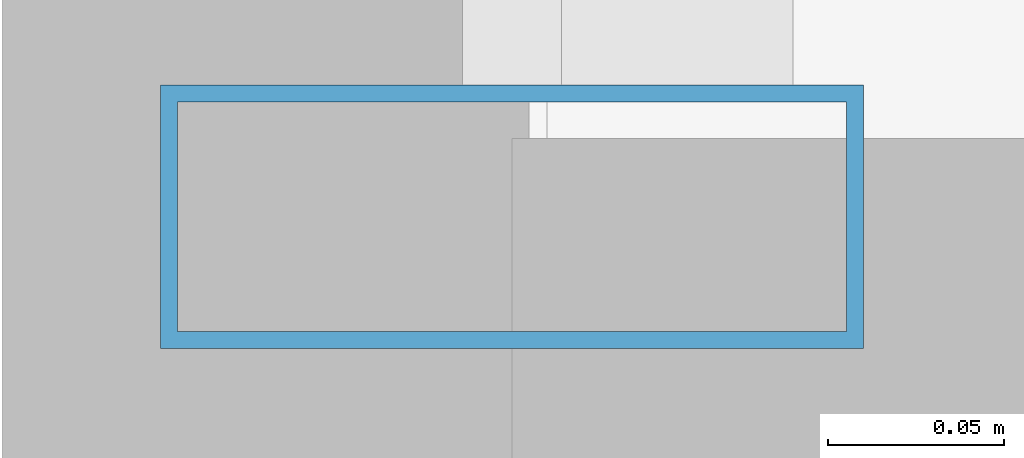
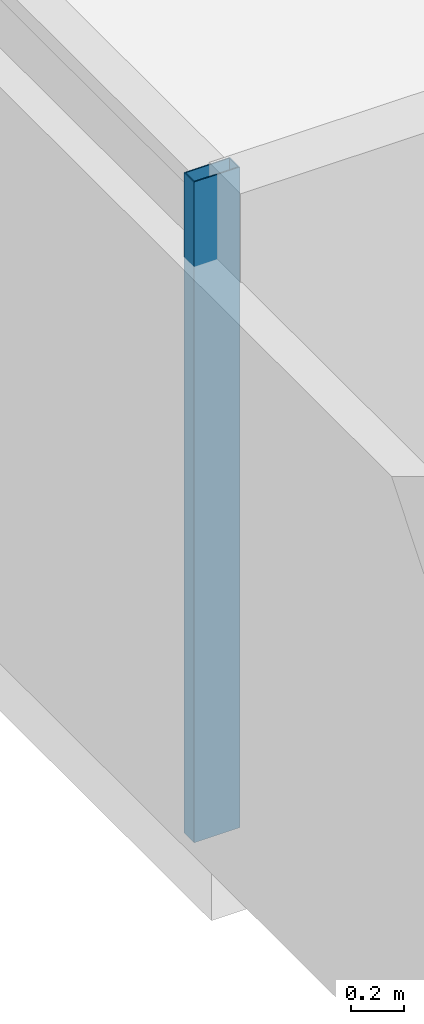
# One storey, part 2 of 30: 1 member, 1 element without a shape of its own.
"""IFC4 building model written with IfcOpenShell, lengths in metres."""

from ifc_helpers import new_model, si_unit, direction, frame, origin, origin_2d, place, context, subcontext, project, spatial, hollow_rectangle, extrude, source, transform, mapped, material, layer, layer_set, material_profile, profile_set, type_object, element, aggregate, save


model = new_model("IFC4")

# Units and contexts
model_context = context("Model", 3, precision=1e-05, world=origin(), true_north=direction((0.0, 1.0)))
body_context = subcontext(model_context, "Body", "Model", "MODEL_VIEW")
ifc_project = project(units=[si_unit("LENGTHUNIT", "METRE"), si_unit("AREAUNIT", "SQUARE_METRE"), si_unit("VOLUMEUNIT", "CUBIC_METRE"), si_unit("PLANEANGLEUNIT", "RADIAN"), si_unit("MASSUNIT", "GRAM", prefix="KILO")], contexts=[model_context])

# Site, building, storey
site_placement = place(None, origin())
site = spatial("IfcSite", under=ifc_project, at=site_placement, CompositionType="ELEMENT")
building_placement = place(site_placement, origin())
building = spatial("IfcBuilding", under=site, at=building_placement, Name="Zarnakvel Exchange Tower", CompositionType="ELEMENT")
storey_placement = place(building_placement, frame((0.0, 0.0, 43.89990234375)))
storey = spatial("IfcBuildingStorey", under=building, at=storey_placement, Name="L11", CompositionType="ELEMENT", Elevation=43.89990234375)

# Curtain wall, member
ifc_material = material(Name="Architectural Bronze Anodised Aluminium", Category="aluminium")
ifc_layer = layer(ifc_material, 0.199951171875)
ifc_layer_set = layer_set([ifc_layer], Name="Architectural Bronze Anodised Aluminium")
curtain_wall_type = type_object("IfcCurtainWallType", Name="CW-04", PredefinedType="NOTDEFINED", material=ifc_layer_set)
curtain_wall_placement = place(storey_placement, origin())
curtain_wall = element("IfcCurtainWall", 1, at=curtain_wall_placement, inside=storey, type_object=curtain_wall_type, Name="L11 Curtain Wall CW-L11-W1 (CW-04)", PredefinedType="NOTDEFINED")
ifc_material_profile = material_profile(ifc_material, hollow_rectangle(XDim=0.199951171875, YDim=0.074951171875, WallThickness=0.0048828125, at=origin_2d()))
ifc_profile_set = profile_set([ifc_material_profile], Name="Architectural Bronze Anodised Aluminium")
member_type = type_object("IfcMemberType", Name="CWM-04", PredefinedType="MULLION", material=ifc_profile_set)
shared_shape = source(origin(), body_context, "Body", "SweptSolid", [
    extrude(hollow_rectangle(XDim=0.199951171875, YDim=0.074951171875, WallThickness=0.0048828125, at=origin_2d()), origin(), (0.0, 0.0, 1.0), 3.05517578125),
])
member_placement = place(storey_placement, frame((-32.4599609375, -14.96240234375, 0.0), z_axis=(0.0, 0.0, 1.0), x_axis=(-1.0, 0.0, 0.0)))
member = element("IfcMember", 2, at=member_placement, type_object=member_type, Name="CW-04 mullion 1", PredefinedType="MULLION", context=body_context, shape_type="MappedRepresentation", body=[
    mapped(shared_shape, transform((0.0, 0.0, 0.0), x_axis=(1.0, 0.0, 0.0), y_axis=(0.0, 1.0, 0.0), z_axis=(0.0, 0.0, 1.0), scale=1.0)),
])
aggregate(curtain_wall, [member])

save(model, "model.ifc")
